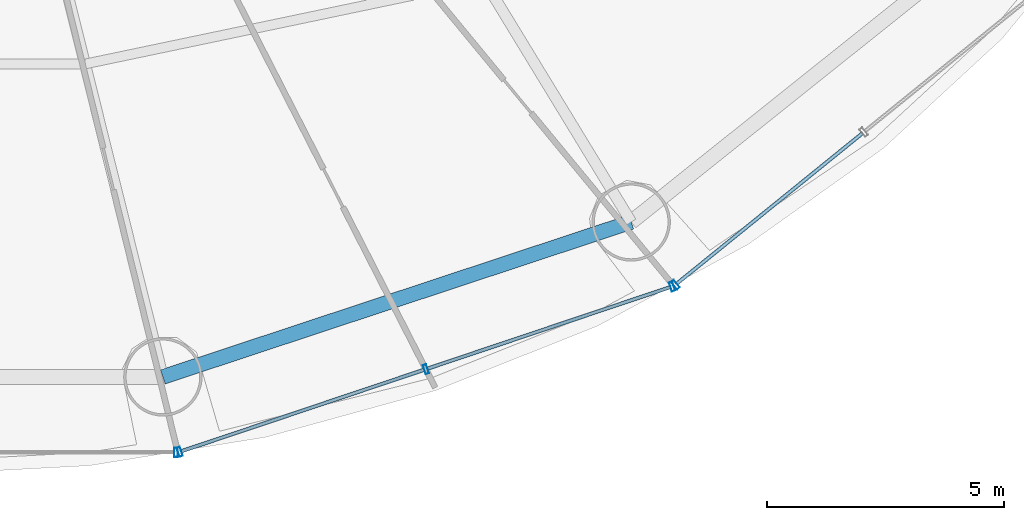
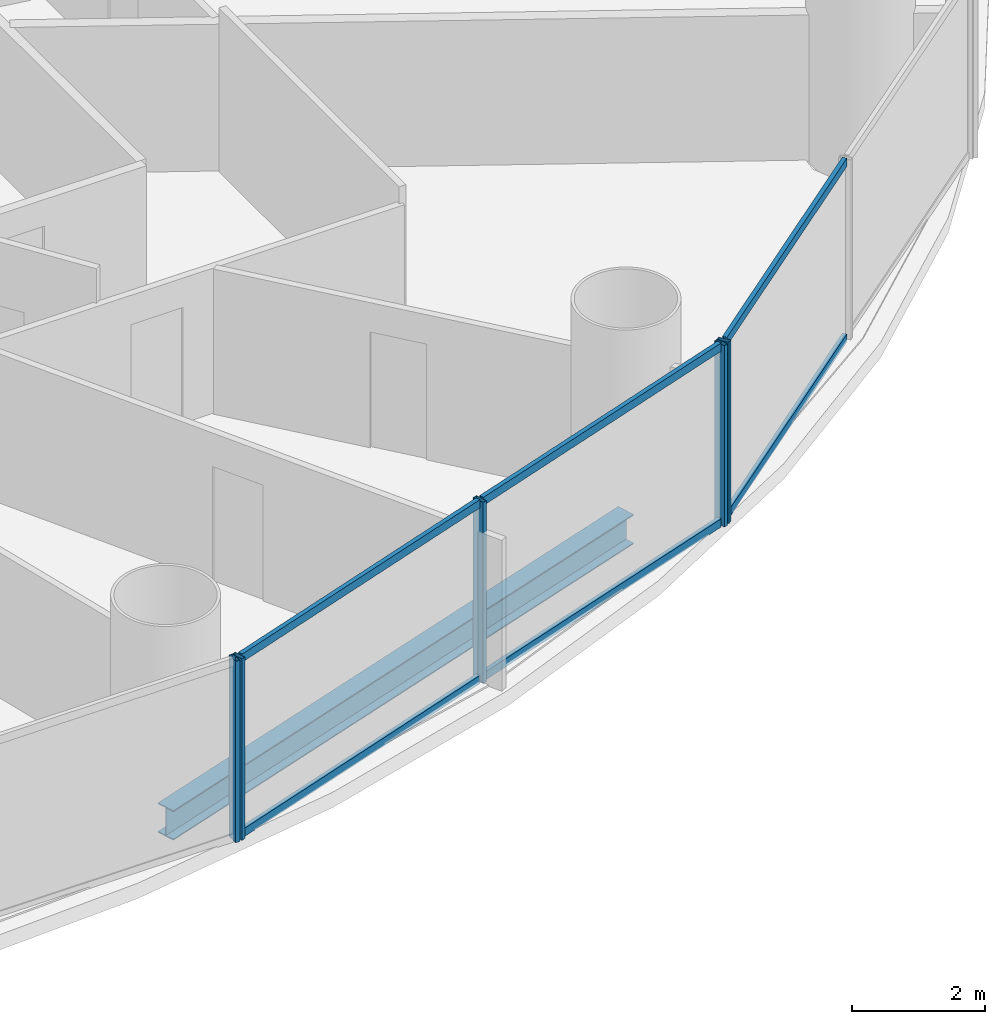
# One storey, part 10 of 29: 11 members, 1 beam, 3 elements without a shape of their own.
"""IFC4 building model written with IfcOpenShell, lengths in metres."""

from ifc_helpers import new_model, si_unit, direction, frame, origin, origin_2d, place, context, subcontext, project, spatial, hollow_rectangle, i_section, extrude, source, transform, mapped, material, material_profile, profile_set, type_object, element, aggregate, save


model = new_model("IFC4")

# Units and contexts
model_context = context("Model", 3, precision=1e-05, world=origin(), true_north=direction((-0.2419218956, 0.970295726276)))
body_context = subcontext(model_context, "Body", "Model", "MODEL_VIEW")
ifc_project = project(units=[si_unit("LENGTHUNIT", "METRE"), si_unit("AREAUNIT", "SQUARE_METRE"), si_unit("VOLUMEUNIT", "CUBIC_METRE"), si_unit("PLANEANGLEUNIT", "RADIAN"), si_unit("MASSUNIT", "GRAM", prefix="KILO")], contexts=[model_context])

# Site, building, storey
site_placement = place(None, origin())
site = spatial("IfcSite", under=ifc_project, at=site_placement, CompositionType="ELEMENT")
building_placement = place(site_placement, origin())
building = spatial("IfcBuilding", under=site, at=building_placement, Name="Cobrevalo Terracotta Tower", CompositionType="ELEMENT")
storey_placement = place(building_placement, frame((0.0, 0.0, 45.60009765625)))
storey = spatial("IfcBuildingStorey", under=building, at=storey_placement, Name="L11", CompositionType="ELEMENT", Elevation=45.60009765625)

# Beam
ifc_material_1 = material(Name="Steel S355", Category="steel")
ifc_material_profile_1 = material_profile(ifc_material_1, i_section(OverallWidth=0.31201171875, OverallDepth=0.54296875, WebThickness=0.0126953125, FlangeThickness=0.020263671875, at=origin_2d()), Name="W 530x150")
ifc_profile_set_1 = profile_set([ifc_material_profile_1], Name="Steel S355")
beam_type = type_object("IfcBeamType", Name="Structural Spandrel W 530x150 (Steel S355)", PredefinedType="SPANDREL", material=ifc_profile_set_1)
beam_placement = place(storey_placement, frame((43.335693359375, 5.369873046875, -0.551513671875), z_axis=(0.949372202648, 0.314153498848, 0.0), x_axis=(-0.314153498848, 0.949372202648, 0.0)))
element("IfcBeam", 1, at=beam_placement, inside=storey, type_object=beam_type, Name="L11 perimeter ring spandrel 13", PredefinedType="SPANDREL", context=body_context, shape_type="SweptSolid", body=[
    extrude(i_section(OverallWidth=0.31201171875, OverallDepth=0.54296875, WebThickness=0.0126953125, FlangeThickness=0.020263671875, at=origin_2d()), origin(), (0.0, 0.0, 1.0), 10.385009765625),
])

# Curtain wall, members
ifc_material_2 = material(Name="Anodized aluminium", Category="aluminium")
curtain_wall_type = type_object("IfcCurtainWallType", Name="Lower-tower unitised acoustic low-E curtain wall CW-U1", PredefinedType="NOTDEFINED", material=ifc_material_2)
curtain_wall_1_placement = place(storey_placement, origin())
curtain_wall_1 = element("IfcCurtainWall", 2, at=curtain_wall_1_placement, inside=storey, type_object=curtain_wall_type, Name="L11 curtain wall CW-L11-S14", PredefinedType="NOTDEFINED")
ifc_material_profile_2 = material_profile(ifc_material_2, hollow_rectangle(XDim=0.074951171875, YDim=0.14990234375, WallThickness=0.00439453125, at=origin_2d()), Name="CWT 75x150")
ifc_profile_set_2 = profile_set([ifc_material_profile_2], Name="Anodized aluminium")
member_type_1 = type_object("IfcMemberType", Name="Tower unitised aluminium transom 75x150", PredefinedType="USERDEFINED", material=ifc_profile_set_2)
shared_shape_1 = source(origin(), body_context, "Body", "SweptSolid", [
    extrude(hollow_rectangle(XDim=0.074951171875, YDim=0.14990234375, WallThickness=0.00439453125, at=origin_2d()), origin(), (0.0, 0.0, 1.0), 5.0234375),
])
member_1_placement = place(storey_placement, frame((54.156982421875, 7.335693359375, 0.0498046875), z_axis=(0.777022991593, 0.629472215857, 0.0), x_axis=(-0.629472215857, 0.777022991593, 0.0)))
member_1 = element("IfcMember", 3, at=member_1_placement, type_object=member_type_1, Name="CW-L11-S14 transom B01-T1", ObjectType="TRANSOM", PredefinedType="USERDEFINED", context=body_context, shape_type="MappedRepresentation", body=[
    mapped(shared_shape_1, transform((0.0, 0.0, 0.0), scale=1.0)),
])
member_2_placement = place(storey_placement, frame((54.156982421875, 7.335693359375, 3.27001953125), z_axis=(0.777022991593, 0.629472215857, 0.0), x_axis=(-0.629472215857, 0.777022991593, 0.0)))
member_2 = element("IfcMember", 4, at=member_2_placement, type_object=member_type_1, Name="CW-L11-S14 transom B01-T2", ObjectType="TRANSOM", PredefinedType="USERDEFINED", context=body_context, shape_type="MappedRepresentation", body=[
    mapped(shared_shape_1, transform((0.0, 0.0, 0.0), scale=1.0)),
])

curtain_wall_2_placement = place(storey_placement, origin())
curtain_wall_2 = element("IfcCurtainWall", 5, at=curtain_wall_2_placement, inside=storey, type_object=curtain_wall_type, Name="L11 curtain wall CW-L11-S13", PredefinedType="NOTDEFINED")
shared_shape_2 = source(origin(), body_context, "Body", "SweptSolid", [
    extrude(hollow_rectangle(XDim=0.074951171875, YDim=0.14990234375, WallThickness=0.00439453125, at=origin_2d()), origin(), (0.0, 0.0, 1.0), 5.387939453125),
])
member_3_placement = place(storey_placement, frame((43.7275390625, 3.806396484375, 0.0498046875), z_axis=(0.94804244582, 0.318143868278, 0.0), x_axis=(-0.318143868278, 0.94804244582, 0.0)))
member_3 = element("IfcMember", 6, at=member_3_placement, type_object=member_type_1, Name="CW-L11-S13 transom B01-T1", ObjectType="TRANSOM", PredefinedType="USERDEFINED", context=body_context, shape_type="MappedRepresentation", body=[
    mapped(shared_shape_2, transform((0.0, 0.0, 0.0), scale=1.0)),
])
member_4_placement = place(storey_placement, frame((43.7275390625, 3.806396484375, 3.27001953125), z_axis=(0.94804244582, 0.318143868278, 0.0), x_axis=(-0.318143868278, 0.94804244582, 0.0)))
member_4 = element("IfcMember", 7, at=member_4_placement, type_object=member_type_1, Name="CW-L11-S13 transom B01-T2", ObjectType="TRANSOM", PredefinedType="USERDEFINED", context=body_context, shape_type="MappedRepresentation", body=[
    mapped(shared_shape_2, transform((0.0, 0.0, 0.0), scale=1.0)),
])
member_5_placement = place(storey_placement, frame((48.9111328125, 5.5458984375, 0.0498046875), z_axis=(0.94804244582, 0.318143868278, 0.0), x_axis=(-0.318143868278, 0.94804244582, 0.0)))
member_5 = element("IfcMember", 8, at=member_5_placement, type_object=member_type_1, Name="CW-L11-S13 transom B02-T1", ObjectType="TRANSOM", PredefinedType="USERDEFINED", context=body_context, shape_type="MappedRepresentation", body=[
    mapped(shared_shape_2, transform((0.0, 0.0, 0.0), scale=1.0)),
])
member_6_placement = place(storey_placement, frame((48.9111328125, 5.5458984375, 3.27001953125), z_axis=(0.94804244582, 0.318143868278, 0.0), x_axis=(-0.318143868278, 0.94804244582, 0.0)))
member_6 = element("IfcMember", 9, at=member_6_placement, type_object=member_type_1, Name="CW-L11-S13 transom B02-T2", ObjectType="TRANSOM", PredefinedType="USERDEFINED", context=body_context, shape_type="MappedRepresentation", body=[
    mapped(shared_shape_2, transform((0.0, 0.0, 0.0), scale=1.0)),
])

# Curtain wall, member
curtain_wall_3_placement = place(storey_placement, origin())
curtain_wall_3 = element("IfcCurtainWall", 10, at=curtain_wall_3_placement, inside=storey, type_object=curtain_wall_type, Name="L11 curtain wall CW-L11-S12", PredefinedType="NOTDEFINED")
ifc_material_profile_3 = material_profile(ifc_material_2, hollow_rectangle(XDim=0.074951171875, YDim=0.199951171875, WallThickness=0.0048828125, at=origin_2d()), Name="CWM 75x200")
ifc_profile_set_3 = profile_set([ifc_material_profile_3], Name="Anodized aluminium")
member_type_2 = type_object("IfcMemberType", Name="Lower/mid tower unitised mullion 75x200", PredefinedType="MULLION", material=ifc_profile_set_3)
shared_shape_3 = source(origin(), body_context, "Body", "SweptSolid", [
    extrude(hollow_rectangle(XDim=0.074951171875, YDim=0.199951171875, WallThickness=0.0048828125, at=origin_2d()), origin(), (0.0, 0.0, 1.0), 3.31982421875),
])
member_7_placement = place(storey_placement, frame((43.61181640625, 3.781005859375, 0.0), z_axis=(0.0, 0.0, 1.0), x_axis=(1.0, 0.0, 0.0)))
member_7 = element("IfcMember", 11, at=member_7_placement, type_object=member_type_2, Name="CW-L11-S12 vertical mullion 03", PredefinedType="MULLION", context=body_context, shape_type="MappedRepresentation", body=[
    mapped(shared_shape_3, transform((0.0, 0.0, 0.0), scale=1.0)),
])
aggregate(curtain_wall_3, [member_7])

# Member
member_8_placement = place(storey_placement, frame((43.689697265625, 3.793701171875, 0.0), z_axis=(0.0, 0.0, 1.0), x_axis=(0.948046393597, 0.318132103987, 0.0)))
member_8 = element("IfcMember", 12, at=member_8_placement, type_object=member_type_2, Name="CW-L11-S13 vertical mullion 01", PredefinedType="MULLION", context=body_context, shape_type="MappedRepresentation", body=[
    mapped(shared_shape_3, transform((0.0, 0.0, 0.0), scale=1.0)),
])

member_9_placement = place(storey_placement, frame((48.873291015625, 5.533203125, 0.0), z_axis=(0.0, 0.0, 1.0), x_axis=(0.948046393597, 0.318132103987, 0.0)))
member_9 = element("IfcMember", 13, at=member_9_placement, type_object=member_type_2, Name="CW-L11-S13 vertical mullion 02", PredefinedType="MULLION", context=body_context, shape_type="MappedRepresentation", body=[
    mapped(shared_shape_3, transform((0.0, 0.0, 0.0), scale=1.0)),
])

member_10_placement = place(storey_placement, frame((54.056884765625, 7.272705078125, 0.0), z_axis=(0.0, 0.0, 1.0), x_axis=(0.948046393597, 0.318132103987, 0.0)))
member_10 = element("IfcMember", 14, at=member_10_placement, type_object=member_type_2, Name="CW-L11-S13 vertical mullion 03", PredefinedType="MULLION", context=body_context, shape_type="MappedRepresentation", body=[
    mapped(shared_shape_3, transform((0.0, 0.0, 0.0), scale=1.0)),
])

aggregate(curtain_wall_2, [member_8, member_9, member_10, member_3, member_4, member_5, member_6])

member_11_placement = place(storey_placement, frame((54.1259765625, 7.310546875, 0.0), z_axis=(0.0, 0.0, 1.0), x_axis=(0.777003153187, 0.629496703675, 0.0)))
member_11 = element("IfcMember", 15, at=member_11_placement, type_object=member_type_2, Name="CW-L11-S14 vertical mullion 01", PredefinedType="MULLION", context=body_context, shape_type="MappedRepresentation", body=[
    mapped(shared_shape_3, transform((0.0, 0.0, 0.0), scale=1.0)),
])

aggregate(curtain_wall_1, [member_11, member_1, member_2])

save(model, "model.ifc")
